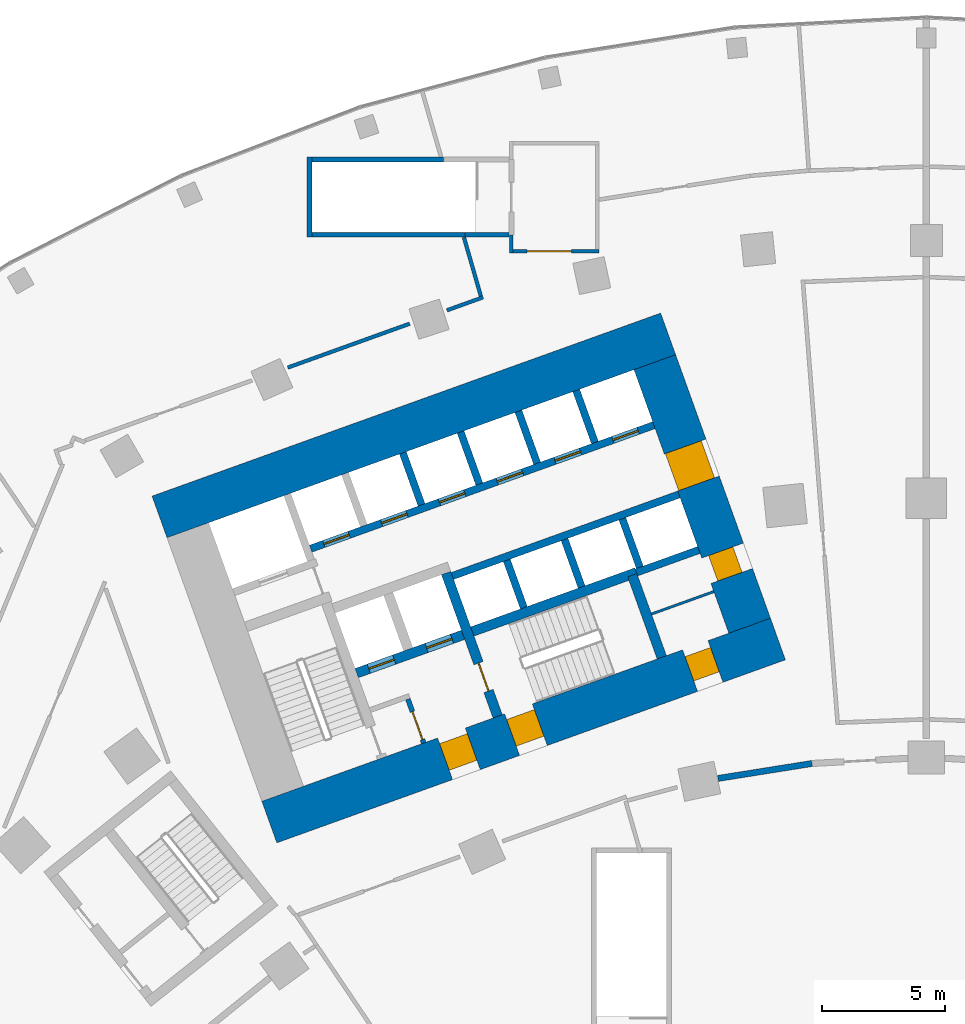
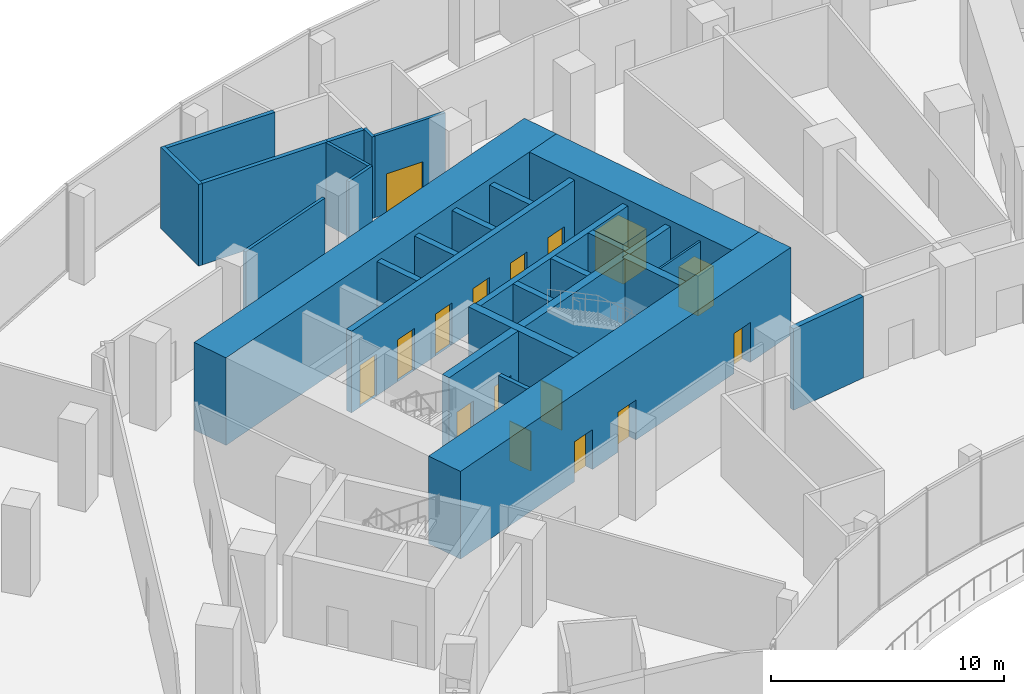
# One storey, part 24 of 33: 28 walls, 16 doors, 16 openings.
"""IFC4 building model written with IfcOpenShell, lengths in metres."""

from ifc_helpers import new_model, si_unit, direction, frame, frame_2d, origin, place, context, subcontext, project, spatial, rectangle, extrude, material, layer, layer_set, type_object, element, fill, save


model = new_model("IFC4")

# Units and contexts
model_context = context("Model", 3, precision=1e-05, world=origin(), true_north=direction((0.0, 1.0)))
body_context = subcontext(model_context, "Body", "Model", "MODEL_VIEW")
ifc_project = project(units=[si_unit("LENGTHUNIT", "METRE"), si_unit("AREAUNIT", "SQUARE_METRE"), si_unit("VOLUMEUNIT", "CUBIC_METRE"), si_unit("PLANEANGLEUNIT", "RADIAN"), si_unit("MASSUNIT", "GRAM", prefix="KILO")], contexts=[model_context])

# Site, building, storey
site_placement = place(None, origin())
site = spatial("IfcSite", under=ifc_project, at=site_placement, CompositionType="ELEMENT")
building_placement = place(site_placement, origin())
building = spatial("IfcBuilding", under=site, at=building_placement, Name="Stone Belt Terrace Tower", CompositionType="ELEMENT")
storey_placement = place(building_placement, frame((0.0, 0.0, 25.39990234375)))
storey = spatial("IfcBuildingStorey", under=building, at=storey_placement, Name="L05", CompositionType="ELEMENT", Elevation=25.39990234375)

# Wall
ifc_material_1 = material(Name="Plasterboard partition")
ifc_layer_1 = layer(ifc_material_1, 0.10009765625)
ifc_layer_set_1 = layer_set([ifc_layer_1], Name="Core partition 100")
wall_type_1 = type_object("IfcWallType", Name="Core partition 100", PredefinedType="PARTITIONING", material=ifc_layer_set_1)
wall_1_placement = place(storey_placement, frame((-11.187744140625, 50.2822265625, 0.0), z_axis=(0.0, 0.0, 1.0), x_axis=(0.940949642365, 0.338546555931, 0.0)))
element("IfcWall", 1, at=wall_1_placement, inside=storey, type_object=wall_type_1, Name="Core A wall", PredefinedType="PARTITIONING", context=body_context, shape_type="SweptSolid", body=[
    extrude(rectangle(XDim=2.699951171875, YDim=0.10009765625, at=frame_2d((1.35009765625, 0.0))), origin(), (0.0, 0.0, 1.0), 4.280029296875),
])

# Wall, openings, doors
ifc_material_2 = material(Name="Concrete B80", Category="concrete")
ifc_layer_2 = layer(ifc_material_2, 1.800048828125)
ifc_layer_set_2 = layer_set([ifc_layer_2], Name="Core wall 1800 B80")
wall_type_2 = type_object("IfcWallType", Name="Core wall 1800 B80", PredefinedType="SHEAR", material=ifc_layer_set_2)
wall_2_placement = place(storey_placement, frame((-26.739501953125, 41.815673828125, 0.0), z_axis=(0.0, 0.0, 1.0), x_axis=(0.940921642213, 0.338624368902, 0.0)))
wall_2 = element("IfcWall", 2, at=wall_2_placement, inside=storey, type_object=wall_type_2, Name="Core A wall concave L05", PredefinedType="SHEAR", context=body_context, shape_type="SweptSolid", body=[
    extrude(rectangle(XDim=22.0, YDim=1.800048828125, at=frame_2d((11.0, 0.0))), origin(), (0.0, 0.0, 1.0), 4.60009765625),
])
opening_1_placement = place(wall_2_placement, frame((7.60009765625, 0.0, 0.0)))
opening_1 = element("IfcOpeningElement", 3, at=opening_1_placement, cuts=wall_2, Name="Opening L05-C05", PredefinedType="OPENING", context=body_context, shape_type="SweptSolid", body=[
    extrude(rectangle(XDim=1.199951171875, YDim=2.10009765625, at=frame_2d((0.60009765625, 1.050048828125))), frame((0.0, 0.909912109375, 0.0), z_axis=(0.0, -1.0, 0.0), x_axis=(1.0, 0.0, 0.0)), (0.0, 0.0, 1.0), 1.820068359375),
])
opening_2_placement = place(wall_2_placement, frame((10.5, 0.0, 0.0)))
opening_2 = element("IfcOpeningElement", 4, at=opening_2_placement, cuts=wall_2, Name="Opening L05-C07", PredefinedType="OPENING", context=body_context, shape_type="SweptSolid", body=[
    extrude(rectangle(XDim=1.199951171875, YDim=2.10009765625, at=frame_2d((0.60009765625, 1.050048828125))), frame((0.0, 0.909912109375, 0.0), z_axis=(0.0, -1.0, 0.0), x_axis=(1.0, 0.0, 0.0)), (0.0, 0.0, 1.0), 1.820068359375),
])
opening_3_placement = place(wall_2_placement, frame((18.199951171875, 0.0, 0.0)))
opening_3 = element("IfcOpeningElement", 5, at=opening_3_placement, cuts=wall_2, Name="Opening L05-C09", PredefinedType="OPENING", context=body_context, shape_type="SweptSolid", body=[
    extrude(rectangle(XDim=1.10009765625, YDim=2.10009765625, at=frame_2d((0.550048828125, 1.050048828125))), frame((0.0, 0.909912109375, 0.0), z_axis=(0.0, -1.0, 0.0), x_axis=(1.0, 0.0, 0.0)), (0.0, 0.0, 1.0), 1.820068359375),
])
ifc_material_3 = material(Name="Timber door leaf", Category="wood")
door_type_1 = type_object("IfcDoorType", Name="Core room door 1100", OperationType="SINGLE_SWING_LEFT", PredefinedType="DOOR", material=ifc_material_3)
door_1_placement = place(opening_3_placement, origin())
door_1 = element("IfcDoor", 6, at=door_1_placement, inside=storey, type_object=door_type_1, Name="Door to Cleaner's store core A", OperationType="SINGLE_SWING_RIGHT", OverallHeight=2.10009765625, OverallWidth=1.10009765625, PredefinedType="DOOR", context=body_context, shape_type="SweptSolid", body=[
    extrude(rectangle(XDim=1.10009765625, YDim=2.10009765625, at=frame_2d((0.550048828125, 1.050048828125))), frame((0.0, 0.60498046875, 0.0), z_axis=(0.0, -1.0, 0.0), x_axis=(1.0, 0.0, 0.0)), (0.0, 0.0, 1.0), 1.050048828125),
])
fill(opening_3, door_1)
ifc_material_4 = material(Name="Steel door leaf", Category="steel")
door_type_2 = type_object("IfcDoorType", Name="Fire-fighting lobby door 1200", OperationType="SINGLE_SWING_LEFT", PredefinedType="DOOR", material=ifc_material_4)
door_2_placement = place(opening_1_placement, origin())
door_2 = element("IfcDoor", 7, at=door_2_placement, inside=storey, type_object=door_type_2, Name="Fire-fighting lobby door core A", OperationType="SINGLE_SWING_RIGHT", OverallHeight=2.10009765625, OverallWidth=1.199951171875, PredefinedType="DOOR", context=body_context, shape_type="SweptSolid", body=[
    extrude(rectangle(XDim=1.199951171875, YDim=2.10009765625, at=frame_2d((0.60009765625, 1.050048828125))), frame((0.0, 0.655029296875, 0.0), z_axis=(0.0, -1.0, 0.0), x_axis=(1.0, 0.0, 0.0)), (0.0, 0.0, 1.0), 1.14990234375),
])
fill(opening_1, door_2)
door_type_3 = type_object("IfcDoorType", Name="Stair door 1200", OperationType="SINGLE_SWING_LEFT", PredefinedType="DOOR", material=ifc_material_4)
door_3_placement = place(opening_2_placement, origin())
door_3 = element("IfcDoor", 8, at=door_3_placement, inside=storey, type_object=door_type_3, Name="Stair 2 exit door core A", OperationType="SINGLE_SWING_LEFT", OverallHeight=2.10009765625, OverallWidth=1.199951171875, PredefinedType="DOOR", context=body_context, shape_type="SweptSolid", body=[
    extrude(rectangle(XDim=1.199951171875, YDim=2.10009765625, at=frame_2d((0.60009765625, 1.050048828125))), frame((0.0, 0.655029296875, 0.0), z_axis=(0.0, -1.0, 0.0), x_axis=(1.0, 0.0, 0.0)), (0.0, 0.0, 1.0), 1.14990234375),
])
fill(opening_2, door_3)

# Wall
wall_3_placement = place(storey_placement, frame((-31.20947265625, 54.23583984375, 0.0), z_axis=(0.0, 0.0, 1.0), x_axis=(0.940922914687, 0.338620833112, 0.0)))
element("IfcWall", 9, at=wall_3_placement, inside=storey, type_object=wall_type_2, Name="Core A wall convex L05", PredefinedType="SHEAR", context=body_context, shape_type="SweptSolid", body=[
    extrude(rectangle(XDim=22.000244140625, YDim=1.800048828125, at=frame_2d((11.0, 0.0))), origin(), (0.0, 0.0, 1.0), 4.60009765625),
])

# Wall, openings, doors
wall_4_placement = place(storey_placement, frame((-7.19091796875, 49.8076171875, 0.0), z_axis=(0.0, 0.0, 1.0), x_axis=(-0.338632255135, 0.940918804033, 0.0)))
wall_4 = element("IfcWall", 10, at=wall_4_placement, inside=storey, type_object=wall_type_2, Name="Core A wall end_b L05", PredefinedType="SHEAR", context=body_context, shape_type="SweptSolid", body=[
    extrude(rectangle(XDim=11.39990234375, YDim=1.800048828125, at=frame_2d((5.699951171875, 0.0))), origin(), (0.0, 0.0, 1.0), 4.60009765625),
])
opening_4_placement = place(wall_4_placement, frame((6.14990234375, 0.0, 0.0)))
opening_4 = element("IfcOpeningElement", 11, at=opening_4_placement, cuts=wall_4, Name="Opening L05-C02", PredefinedType="OPENING", context=body_context, shape_type="SweptSolid", body=[
    extrude(rectangle(XDim=1.60009765625, YDim=2.10009765625, at=frame_2d((0.800048828125, 1.050048828125))), frame((0.0, 0.909912109375, 0.0), z_axis=(0.0, -1.0, 0.0), x_axis=(1.0, 0.0, 0.0)), (0.0, 0.0, 1.0), 1.820068359375),
])
opening_5_placement = place(wall_4_placement, frame((2.14990234375, 0.0, 0.0)))
opening_5 = element("IfcOpeningElement", 12, at=opening_5_placement, cuts=wall_4, Name="Opening L05-C08", PredefinedType="OPENING", context=body_context, shape_type="SweptSolid", body=[
    extrude(rectangle(XDim=1.10009765625, YDim=2.10009765625, at=frame_2d((0.550048828125, 1.050048828125))), frame((0.0, 0.909912109375, 0.0), z_axis=(0.0, -1.0, 0.0), x_axis=(1.0, 0.0, 0.0)), (0.0, 0.0, 1.0), 1.820068359375),
])
door_4_placement = place(opening_5_placement, origin())
door_4 = element("IfcDoor", 13, at=door_4_placement, inside=storey, type_object=door_type_1, Name="Door to Accessible WC core A", OperationType="SINGLE_SWING_LEFT", OverallHeight=2.10009765625, OverallWidth=1.10009765625, PredefinedType="DOOR", context=body_context, shape_type="SweptSolid", body=[
    extrude(rectangle(XDim=1.10009765625, YDim=2.10009765625, at=frame_2d((0.550048828125, 1.050048828125))), frame((0.0, 0.60498046875, 0.0), z_axis=(0.0, -1.0, 0.0), x_axis=(1.0, 0.0, 0.0)), (0.0, 0.0, 1.0), 1.050048828125),
])
fill(opening_5, door_4)
ifc_material_5 = material(Name="Glazed aluminium door leaf", Category="aluminium")
door_type_4 = type_object("IfcDoorType", Name="Lift lobby entrance door 1600", OperationType="DOUBLE_DOOR_SINGLE_SWING", PredefinedType="DOOR", material=ifc_material_5)
door_5_placement = place(opening_4_placement, origin())
door_5 = element("IfcDoor", 14, at=door_5_placement, inside=storey, type_object=door_type_4, Name="Lift lobby entrance door core A", OperationType="DOUBLE_DOOR_SINGLE_SWING", OverallHeight=2.10009765625, OverallWidth=1.60009765625, PredefinedType="DOOR", context=body_context, shape_type="SweptSolid", body=[
    extrude(rectangle(XDim=1.60009765625, YDim=2.10009765625, at=frame_2d((0.800048828125, 1.050048828125))), frame((0.0, 0.85498046875, 0.0), z_axis=(0.0, -1.0, 0.0), x_axis=(1.0, 0.0, 0.0)), (0.0, 0.0, 1.0), 1.550048828125),
])
fill(opening_4, door_5)

# Wall
ifc_material_6 = material(Name="Fire-resistant glazing in steel frame", Category="steel")
ifc_layer_3 = layer(ifc_material_6, 0.25)
ifc_layer_set_3 = layer_set([ifc_layer_3], Name="Glazed compartment fire screen 250")
wall_type_3 = type_object("IfcWallType", Name="Glazed compartment fire screen 250", PredefinedType="PARTITIONING", material=ifc_layer_set_3)
wall_5_placement = place(storey_placement, frame((-8.4794921875, 43.5908203125, 0.0), z_axis=(0.0, 0.0, 1.0), x_axis=(0.98758230791, 0.157102466888, 0.0)))
element("IfcWall", 15, at=wall_5_placement, inside=storey, type_object=wall_type_3, Name="Compartment fire screen L05 4", PredefinedType="PARTITIONING", context=body_context, shape_type="SweptSolid", body=[
    extrude(rectangle(XDim=3.87109375, YDim=0.25, at=frame_2d((1.935546875, 0.0))), origin(), (0.0, 0.0, 1.0), 4.280029296875),
])

# Wall, openings, doors
ifc_layer_4 = layer(ifc_material_2, 0.300048828125)
ifc_layer_set_4 = layer_set([ifc_layer_4], Name="Lift shaft wall 300")
wall_type_4 = type_object("IfcWallType", Name="Lift shaft wall 300", PredefinedType="SHEAR", material=ifc_layer_set_4)
wall_6_placement = place(storey_placement, frame((-25.05810546875, 52.9423828125, 0.0), z_axis=(0.0, 0.0, 1.0), x_axis=(0.940918215764, 0.338633889685, 0.0)))
wall_6 = element("IfcWall", 16, at=wall_6_placement, inside=storey, type_object=wall_type_4, Name="Core A wall", PredefinedType="SHEAR", context=body_context, shape_type="SweptSolid", body=[
    extrude(rectangle(XDim=14.850341796875, YDim=0.300048828125, at=frame_2d((7.42529296875, 0.0))), origin(), (0.0, 0.0, 1.0), 4.280029296875),
])
opening_6_placement = place(wall_6_placement, frame((0.570068359375, 0.0, 0.0)))
opening_6 = element("IfcOpeningElement", 17, at=opening_6_placement, cuts=wall_6, Name="Opening L05-LD01", PredefinedType="OPENING", context=body_context, shape_type="SweptSolid", body=[
    extrude(rectangle(XDim=1.10009765625, YDim=2.199951171875, at=frame_2d((0.550048828125, 1.10009765625))), frame((0.0, 0.159912109375, 0.0), z_axis=(0.0, -1.0, 0.0), x_axis=(1.0, 0.0, 0.0)), (0.0, 0.0, 1.0), 0.320068359375),
])
opening_7_placement = place(wall_6_placement, frame((3.070068359375, 0.0, 0.0)))
opening_7 = element("IfcOpeningElement", 18, at=opening_7_placement, cuts=wall_6, Name="Opening L05-LD02", PredefinedType="OPENING", context=body_context, shape_type="SweptSolid", body=[
    extrude(rectangle(XDim=1.10009765625, YDim=2.199951171875, at=frame_2d((0.550048828125, 1.10009765625))), frame((0.0, 0.159912109375, 0.0), z_axis=(0.0, -1.0, 0.0), x_axis=(1.0, 0.0, 0.0)), (0.0, 0.0, 1.0), 0.320068359375),
])
opening_8_placement = place(wall_6_placement, frame((5.570068359375, 0.0, 0.0)))
opening_8 = element("IfcOpeningElement", 19, at=opening_8_placement, cuts=wall_6, Name="Opening L05-LD03", PredefinedType="OPENING", context=body_context, shape_type="SweptSolid", body=[
    extrude(rectangle(XDim=1.10009765625, YDim=2.199951171875, at=frame_2d((0.550048828125, 1.10009765625))), frame((0.0, 0.159912109375, 0.0), z_axis=(0.0, -1.0, 0.0), x_axis=(1.0, 0.0, 0.0)), (0.0, 0.0, 1.0), 0.320068359375),
])
opening_9_placement = place(wall_6_placement, frame((8.070068359375, 0.0, 0.0)))
opening_9 = element("IfcOpeningElement", 20, at=opening_9_placement, cuts=wall_6, Name="Opening L05-LD04", PredefinedType="OPENING", context=body_context, shape_type="SweptSolid", body=[
    extrude(rectangle(XDim=1.10009765625, YDim=2.199951171875, at=frame_2d((0.550048828125, 1.10009765625))), frame((0.0, 0.159912109375, 0.0), z_axis=(0.0, -1.0, 0.0), x_axis=(1.0, 0.0, 0.0)), (0.0, 0.0, 1.0), 0.320068359375),
])
opening_10_placement = place(wall_6_placement, frame((10.570068359375, 0.0, 0.0)))
opening_10 = element("IfcOpeningElement", 21, at=opening_10_placement, cuts=wall_6, Name="Opening L05-LD05", PredefinedType="OPENING", context=body_context, shape_type="SweptSolid", body=[
    extrude(rectangle(XDim=1.10009765625, YDim=2.199951171875, at=frame_2d((0.550048828125, 1.10009765625))), frame((0.0, 0.159912109375, 0.0), z_axis=(0.0, -1.0, 0.0), x_axis=(1.0, 0.0, 0.0)), (0.0, 0.0, 1.0), 0.320068359375),
])
opening_11_placement = place(wall_6_placement, frame((13.070068359375, 0.0, 0.0)))
opening_11 = element("IfcOpeningElement", 22, at=opening_11_placement, cuts=wall_6, Name="Opening L05-LD06", PredefinedType="OPENING", context=body_context, shape_type="SweptSolid", body=[
    extrude(rectangle(XDim=1.10009765625, YDim=2.199951171875, at=frame_2d((0.550048828125, 1.10009765625))), frame((0.0, 0.159912109375, 0.0), z_axis=(0.0, -1.0, 0.0), x_axis=(1.0, 0.0, 0.0)), (0.0, 0.0, 1.0), 0.320068359375),
])
ifc_material_7 = material(Name="Stainless steel door leaf", Category="steel")
door_type_5 = type_object("IfcDoorType", Name="Landing door 1100", OperationType="SLIDING_TO_LEFT", PredefinedType="DOOR", material=ifc_material_7)
door_6_placement = place(opening_6_placement, origin())
door_6 = element("IfcDoor", 23, at=door_6_placement, inside=storey, type_object=door_type_5, Name="Landing door LR1 core A", OperationType="SLIDING_TO_LEFT", OverallHeight=2.199951171875, OverallWidth=1.10009765625, PredefinedType="DOOR", context=body_context, shape_type="SweptSolid", body=[
    extrude(rectangle(XDim=1.10009765625, YDim=2.199951171875, at=frame_2d((0.550048828125, 1.10009765625))), frame((0.0, 0.02490234375, 0.0), z_axis=(0.0, -1.0, 0.0), x_axis=(1.0, 0.0, 0.0)), (0.0, 0.0, 1.0), 0.050048828125),
])
fill(opening_6, door_6)
door_7_placement = place(opening_7_placement, origin())
door_7 = element("IfcDoor", 24, at=door_7_placement, inside=storey, type_object=door_type_5, Name="Landing door LR2 core A", OperationType="SLIDING_TO_LEFT", OverallHeight=2.199951171875, OverallWidth=1.10009765625, PredefinedType="DOOR", context=body_context, shape_type="SweptSolid", body=[
    extrude(rectangle(XDim=1.10009765625, YDim=2.199951171875, at=frame_2d((0.550048828125, 1.10009765625))), frame((0.0, 0.02490234375, 0.0), z_axis=(0.0, -1.0, 0.0), x_axis=(1.0, 0.0, 0.0)), (0.0, 0.0, 1.0), 0.050048828125),
])
fill(opening_7, door_7)
door_8_placement = place(opening_8_placement, origin())
door_8 = element("IfcDoor", 25, at=door_8_placement, inside=storey, type_object=door_type_5, Name="Landing door LR3 core A", OperationType="SLIDING_TO_LEFT", OverallHeight=2.199951171875, OverallWidth=1.10009765625, PredefinedType="DOOR", context=body_context, shape_type="SweptSolid", body=[
    extrude(rectangle(XDim=1.10009765625, YDim=2.199951171875, at=frame_2d((0.550048828125, 1.10009765625))), frame((0.0, 0.02490234375, 0.0), z_axis=(0.0, -1.0, 0.0), x_axis=(1.0, 0.0, 0.0)), (0.0, 0.0, 1.0), 0.050048828125),
])
fill(opening_8, door_8)
door_9_placement = place(opening_9_placement, origin())
door_9 = element("IfcDoor", 26, at=door_9_placement, inside=storey, type_object=door_type_5, Name="Landing door LR4 core A", OperationType="SLIDING_TO_LEFT", OverallHeight=2.199951171875, OverallWidth=1.10009765625, PredefinedType="DOOR", context=body_context, shape_type="SweptSolid", body=[
    extrude(rectangle(XDim=1.10009765625, YDim=2.199951171875, at=frame_2d((0.550048828125, 1.10009765625))), frame((0.0, 0.02490234375, 0.0), z_axis=(0.0, -1.0, 0.0), x_axis=(1.0, 0.0, 0.0)), (0.0, 0.0, 1.0), 0.050048828125),
])
fill(opening_9, door_9)
door_10_placement = place(opening_10_placement, origin())
door_10 = element("IfcDoor", 27, at=door_10_placement, inside=storey, type_object=door_type_5, Name="Landing door LR5 core A", OperationType="SLIDING_TO_LEFT", OverallHeight=2.199951171875, OverallWidth=1.10009765625, PredefinedType="DOOR", context=body_context, shape_type="SweptSolid", body=[
    extrude(rectangle(XDim=1.10009765625, YDim=2.199951171875, at=frame_2d((0.550048828125, 1.10009765625))), frame((0.0, 0.02490234375, 0.0), z_axis=(0.0, -1.0, 0.0), x_axis=(1.0, 0.0, 0.0)), (0.0, 0.0, 1.0), 0.050048828125),
])
fill(opening_10, door_10)
door_11_placement = place(opening_11_placement, origin())
door_11 = element("IfcDoor", 28, at=door_11_placement, inside=storey, type_object=door_type_5, Name="Landing door LR6 core A", OperationType="SLIDING_TO_LEFT", OverallHeight=2.199951171875, OverallWidth=1.10009765625, PredefinedType="DOOR", context=body_context, shape_type="SweptSolid", body=[
    extrude(rectangle(XDim=1.10009765625, YDim=2.199951171875, at=frame_2d((0.550048828125, 1.10009765625))), frame((0.0, 0.02490234375, 0.0), z_axis=(0.0, -1.0, 0.0), x_axis=(1.0, 0.0, 0.0)), (0.0, 0.0, 1.0), 0.050048828125),
])
fill(opening_11, door_11)

# Walls
wall_7_placement = place(storey_placement, frame((-19.29052734375, 51.829833984375, 0.0), z_axis=(0.0, 0.0, 1.0), x_axis=(0.940925833398, 0.338612722803, 0.0)))
element("IfcWall", 29, at=wall_7_placement, inside=storey, type_object=wall_type_4, Name="Core A wall", PredefinedType="SHEAR", context=body_context, shape_type="SweptSolid", body=[
    extrude(rectangle(XDim=9.7998046875, YDim=0.300048828125, at=frame_2d((4.89990234375, 0.0))), origin(), (0.0, 0.0, 1.0), 4.280029296875),
])
wall_8_placement = place(storey_placement, frame((-20.54541015625, 54.72607421875, 0.0), z_axis=(0.0, 0.0, 1.0), x_axis=(-0.338569601369, 0.940941350472, 0.0)))
element("IfcWall", 30, at=wall_8_placement, inside=storey, type_object=wall_type_4, Name="Core A wall", PredefinedType="SHEAR", context=body_context, shape_type="SweptSolid", body=[
    extrude(rectangle(XDim=2.249755859375, YDim=0.300048828125, at=frame_2d((1.125, 0.0))), origin(), (0.0, 0.0, 1.0), 4.280029296875),
])
wall_9_placement = place(storey_placement, frame((-16.38134765625, 50.53857421875, 0.0), z_axis=(0.0, 0.0, 1.0), x_axis=(-0.338681515556, 0.940901073982, 0.0)))
element("IfcWall", 31, at=wall_9_placement, inside=storey, type_object=wall_type_4, Name="Core A wall", PredefinedType="SHEAR", context=body_context, shape_type="SweptSolid", body=[
    extrude(rectangle(XDim=2.050048828125, YDim=0.300048828125, at=frame_2d((1.02490234375, 0.0))), origin(), (0.0, 0.0, 1.0), 4.280029296875),
])
wall_10_placement = place(storey_placement, frame((-18.193115234375, 55.572509765625, 0.0), z_axis=(0.0, 0.0, 1.0), x_axis=(-0.338535034312, 0.940953787677, 0.0)))
element("IfcWall", 32, at=wall_10_placement, inside=storey, type_object=wall_type_4, Name="Core A wall", PredefinedType="SHEAR", context=body_context, shape_type="SweptSolid", body=[
    extrude(rectangle(XDim=2.25, YDim=0.300048828125, at=frame_2d((1.125, 0.0))), origin(), (0.0, 0.0, 1.0), 4.280029296875),
])
wall_11_placement = place(storey_placement, frame((-14.029052734375, 51.38525390625, 0.0), z_axis=(0.0, 0.0, 1.0), x_axis=(-0.338681515556, 0.940901073982, 0.0)))
element("IfcWall", 33, at=wall_11_placement, inside=storey, type_object=wall_type_4, Name="Core A wall", PredefinedType="SHEAR", context=body_context, shape_type="SweptSolid", body=[
    extrude(rectangle(XDim=2.050048828125, YDim=0.300048828125, at=frame_2d((1.02490234375, 0.0))), origin(), (0.0, 0.0, 1.0), 4.280029296875),
])
wall_12_placement = place(storey_placement, frame((-15.8408203125, 56.419189453125, 0.0), z_axis=(0.0, 0.0, 1.0), x_axis=(-0.338569601369, 0.940941350472, 0.0)))
element("IfcWall", 34, at=wall_12_placement, inside=storey, type_object=wall_type_4, Name="Core A wall", PredefinedType="SHEAR", context=body_context, shape_type="SweptSolid", body=[
    extrude(rectangle(XDim=2.249755859375, YDim=0.300048828125, at=frame_2d((1.125, 0.0))), origin(), (0.0, 0.0, 1.0), 4.280029296875),
])
wall_13_placement = place(storey_placement, frame((-11.797119140625, 51.975830078125, 0.0), z_axis=(0.0, 0.0, 1.0), x_axis=(0.940910465161, 0.33865542451, 0.0)))
element("IfcWall", 35, at=wall_13_placement, inside=storey, type_object=wall_type_4, Name="Core A wall", PredefinedType="SHEAR", context=body_context, shape_type="SweptSolid", body=[
    extrude(rectangle(XDim=2.69970703125, YDim=0.300048828125, at=frame_2d((1.349853515625, 0.0))), origin(), (0.0, 0.0, 1.0), 4.280029296875),
])
wall_14_placement = place(storey_placement, frame((-11.659912109375, 52.184814453125, 0.0), z_axis=(0.0, 0.0, 1.0), x_axis=(-0.338670064856, 0.940905195634, 0.0)))
element("IfcWall", 36, at=wall_14_placement, inside=storey, type_object=wall_type_4, Name="Core A wall", PredefinedType="SHEAR", context=body_context, shape_type="SweptSolid", body=[
    extrude(rectangle(XDim=2.099853515625, YDim=0.300048828125, at=frame_2d((1.0498046875, 0.0))), origin(), (0.0, 0.0, 1.0), 4.280029296875),
])
wall_15_placement = place(storey_placement, frame((-13.48828125, 57.265625, 0.0), z_axis=(0.0, 0.0, 1.0), x_axis=(-0.338631098537, 0.940919220286, 0.0)))
element("IfcWall", 37, at=wall_15_placement, inside=storey, type_object=wall_type_4, Name="Core A wall", PredefinedType="SHEAR", context=body_context, shape_type="SweptSolid", body=[
    extrude(rectangle(XDim=2.250244140625, YDim=0.300048828125, at=frame_2d((1.125, 0.0))), origin(), (0.0, 0.0, 1.0), 4.280029296875),
])
ifc_material_8 = material(Name="Gypsum board on steel stud partition", Category="steel")
ifc_layer_5 = layer(ifc_material_8, 0.14990234375)
ifc_layer_set_5 = layer_set([ifc_layer_5], Name="Podium partition 150")
wall_type_5 = type_object("IfcWallType", Name="Podium partition 150", PredefinedType="PARTITIONING", material=ifc_layer_set_5)
wall_16_placement = place(storey_placement, frame((-25.98974609375, 60.314697265625, 0.0), z_axis=(0.0, 0.0, 1.0), x_axis=(0.940943450527, 0.338563764909, 0.0)))
element("IfcWall", 38, at=wall_16_placement, inside=storey, type_object=wall_type_5, Name="Podium partition 150", PredefinedType="PARTITIONING", context=body_context, shape_type="SweptSolid", body=[
    extrude(rectangle(XDim=5.27490234375, YDim=0.14990234375, at=frame_2d((2.637451171875, 0.0))), origin(), (0.0, 0.0, 1.0), 4.280029296875),
])
wall_17_placement = place(storey_placement, frame((-19.512451171875, 62.6455078125, 0.0), z_axis=(0.0, 0.0, 1.0), x_axis=(0.940998690365, 0.338410201872, 0.0)))
element("IfcWall", 39, at=wall_17_placement, inside=storey, type_object=wall_type_5, Name="Podium partition 150", PredefinedType="PARTITIONING", context=body_context, shape_type="SweptSolid", body=[
    extrude(rectangle(XDim=1.5654296875, YDim=0.14990234375, at=frame_2d((0.78271484375, 0.0))), origin(), (0.0, 0.0, 1.0), 4.280029296875),
])
wall_18_placement = place(storey_placement, frame((-18.822265625, 65.6240234375, 0.0), z_axis=(0.0, 0.0, 1.0), x_axis=(0.276629955137, -0.960976517882, 0.0)))
element("IfcWall", 40, at=wall_18_placement, inside=storey, type_object=wall_type_5, Name="Podium partition 150", PredefinedType="PARTITIONING", context=body_context, shape_type="SweptSolid", body=[
    extrude(rectangle(XDim=2.49951171875, YDim=0.14990234375, at=frame_2d((1.249755859375, 0.0))), origin(), (0.0, 0.0, 1.0), 4.280029296875),
])
wall_19_placement = place(storey_placement, frame((-16.889892578125, 64.97509765625, 0.0), z_axis=(0.0, 0.0, 1.0), x_axis=(0.0, 1.0, 0.0)))
element("IfcWall", 41, at=wall_19_placement, inside=storey, type_object=wall_type_5, Name="Podium partition 150", PredefinedType="PARTITIONING", context=body_context, shape_type="SweptSolid", body=[
    extrude(rectangle(XDim=0.744873046875, YDim=0.14990234375, at=frame_2d((0.37255859375, 0.0))), origin(), (0.0, 0.0, 1.0), 4.280029296875),
])

# Wall, opening, door
wall_20_placement = place(storey_placement, frame((-16.81494140625, 65.050048828125, 0.0), z_axis=(0.0, 0.0, 1.0), x_axis=(1.0, 0.0, 0.0)))
wall_20 = element("IfcWall", 42, at=wall_20_placement, inside=storey, type_object=wall_type_5, Name="Podium partition 150", PredefinedType="PARTITIONING", context=body_context, shape_type="SweptSolid", body=[
    extrude(rectangle(XDim=3.5, YDim=0.14990234375, at=frame_2d((1.75, 0.0))), origin(), (0.0, 0.0, 1.0), 4.280029296875),
])
opening_12_placement = place(wall_20_placement, frame((0.570068359375, 0.0, 0.0)))
opening_12 = element("IfcOpeningElement", 43, at=opening_12_placement, cuts=wall_20, Name="Opening L05-P38", PredefinedType="OPENING", context=body_context, shape_type="SweptSolid", body=[
    extrude(rectangle(XDim=1.800048828125, YDim=2.10009765625, at=frame_2d((0.89990234375, 1.050048828125))), frame((0.0, 0.0849609375, 0.0), z_axis=(0.0, -1.0, 0.0), x_axis=(1.0, 0.0, 0.0)), (0.0, 0.0, 1.0), 0.169921875),
])
ifc_material_9 = material(Name="Steel framed door leaf", Category="steel")
door_type_6 = type_object("IfcDoorType", Name="Podium door double 1800", OperationType="DOUBLE_DOOR_SINGLE_SWING", PredefinedType="DOOR", material=ifc_material_9)
door_12_placement = place(opening_12_placement, origin())
door_12 = element("IfcDoor", 44, at=door_12_placement, inside=storey, type_object=door_type_6, Name="Podium door double 1800", OperationType="DOUBLE_DOOR_SINGLE_SWING", OverallHeight=2.10009765625, OverallWidth=1.800048828125, PredefinedType="DOOR", context=body_context, shape_type="SweptSolid", body=[
    extrude(rectangle(XDim=1.800048828125, YDim=2.10009765625, at=frame_2d((0.89990234375, 1.050048828125))), frame((0.0, 0.02490234375, 0.0), z_axis=(0.0, -1.0, 0.0), x_axis=(1.0, 0.0, 0.0)), (0.0, 0.0, 1.0), 0.050048828125),
])
fill(opening_12, door_12)

# Walls
ifc_material_10 = material(Name="Concrete B30", Category="concrete")
ifc_layer_6 = layer(ifc_material_10, 0.199951171875)
ifc_layer_set_6 = layer_set([ifc_layer_6], Name="Podium stair and shaft wall 200")
wall_type_6 = type_object("IfcWallType", Name="Podium stair and shaft wall 200", PredefinedType="SOLIDWALL", material=ifc_layer_set_6)
wall_21_placement = place(storey_placement, frame((-25.110107421875, 65.6201171875, 0.0), z_axis=(0.0, 0.0, 1.0), x_axis=(0.0, 1.0, 0.0)))
element("IfcWall", 45, at=wall_21_placement, inside=storey, type_object=wall_type_6, Name="Podium stair and shaft wall 200", PredefinedType="SOLIDWALL", context=body_context, shape_type="SweptSolid", body=[
    extrude(rectangle(XDim=3.259765625, YDim=0.199951171875, at=frame_2d((1.6298828125, 0.0))), origin(), (0.0, 0.0, 1.0), 4.280029296875),
])
wall_22_placement = place(storey_placement, frame((-25.010009765625, 65.719970703125, 0.0), z_axis=(0.0, 0.0, 1.0), x_axis=(1.0, 0.0, 0.0)))
element("IfcWall", 46, at=wall_22_placement, inside=storey, type_object=wall_type_6, Name="Podium stair and shaft wall 200", PredefinedType="SOLIDWALL", context=body_context, shape_type="SweptSolid", body=[
    extrude(rectangle(XDim=6.238037109375, YDim=0.199951171875, at=frame_2d((3.119140625, 0.0))), origin(), (0.0, 0.0, 1.0), 4.280029296875),
])
wall_23_placement = place(storey_placement, frame((-25.010009765625, 68.780029296875, 0.0), z_axis=(0.0, 0.0, 1.0), x_axis=(1.0, 0.0, 0.0)))
element("IfcWall", 47, at=wall_23_placement, inside=storey, type_object=wall_type_6, Name="Podium stair and shaft wall 200", PredefinedType="SOLIDWALL", context=body_context, shape_type="SweptSolid", body=[
    extrude(rectangle(XDim=5.367919921875, YDim=0.199951171875, at=frame_2d((2.68408203125, 0.0))), origin(), (0.0, 0.0, 1.0), 4.280029296875),
])
wall_24_placement = place(storey_placement, frame((-18.77197265625, 65.719970703125, 0.0), z_axis=(0.0, 0.0, 1.0), x_axis=(1.0, 0.0, 0.0)))
element("IfcWall", 48, at=wall_24_placement, inside=storey, type_object=wall_type_6, Name="Podium stair and shaft wall 200", PredefinedType="SOLIDWALL", context=body_context, shape_type="SweptSolid", body=[
    extrude(rectangle(XDim=1.781982421875, YDim=0.199951171875, at=frame_2d((0.89111328125, 0.0))), origin(), (0.0, 0.0, 1.0), 4.280029296875),
])

# Wall, opening, door
ifc_material_11 = material(Name="Concrete masonry block", Category="masonry")
ifc_layer_7 = layer(ifc_material_11, 0.199951171875)
ifc_layer_set_7 = layer_set([ifc_layer_7], Name="Rated lobby wall 200")
wall_type_7 = type_object("IfcWallType", Name="Rated lobby wall 200", PredefinedType="PARTITIONING", material=ifc_layer_set_7)
wall_25_placement = place(storey_placement, frame((-20.4580078125, 45.032958984375, 0.0), z_axis=(0.0, 0.0, 1.0), x_axis=(-0.338573865316, 0.940939816208, 0.0)))
wall_25 = element("IfcWall", 49, at=wall_25_placement, inside=storey, type_object=wall_type_7, Name="Core A wall", PredefinedType="PARTITIONING", context=body_context, shape_type="SweptSolid", body=[
    extrude(rectangle(XDim=1.900146484375, YDim=0.199951171875, at=frame_2d((0.9501953125, 0.0))), origin(), (0.0, 0.0, 1.0), 4.280029296875),
])
opening_13_placement = place(wall_25_placement, frame((0.14990234375, 0.0, 0.0)))
opening_13 = element("IfcOpeningElement", 50, at=opening_13_placement, cuts=wall_25, Name="Opening L05-C04", PredefinedType="OPENING", context=body_context, shape_type="SweptSolid", body=[
    extrude(rectangle(XDim=1.199951171875, YDim=2.10009765625, at=frame_2d((0.60009765625, 1.050048828125))), frame((0.0, 0.10986328125, 0.0), z_axis=(0.0, -1.0, 0.0), x_axis=(1.0, 0.0, 0.0)), (0.0, 0.0, 1.0), 0.219970703125),
])
door_13_placement = place(opening_13_placement, origin())
door_13 = element("IfcDoor", 51, at=door_13_placement, inside=storey, type_object=door_type_3, Name="Stair airlock door core A", OperationType="SINGLE_SWING_RIGHT", OverallHeight=2.10009765625, OverallWidth=1.199951171875, PredefinedType="DOOR", context=body_context, shape_type="SweptSolid", body=[
    extrude(rectangle(XDim=1.199951171875, YDim=2.10009765625, at=frame_2d((0.60009765625, 1.050048828125))), frame((0.0, 0.02490234375, 0.0), z_axis=(0.0, -1.0, 0.0), x_axis=(1.0, 0.0, 0.0)), (0.0, 0.0, 1.0), 0.050048828125),
])
fill(opening_13, door_13)

# Wall, openings, doors
ifc_layer_8 = layer(ifc_material_2, 0.39990234375)
ifc_layer_set_8 = layer_set([ifc_layer_8], Name="Stair enclosure wall 400")
wall_type_8 = type_object("IfcWallType", Name="Stair enclosure wall 400", PredefinedType="SHEAR", material=ifc_layer_set_8)
wall_26_placement = place(storey_placement, frame((-23.182373046875, 47.87841796875, 0.0), z_axis=(0.0, 0.0, 1.0), x_axis=(0.940921101762, 0.338625870628, 0.0)))
wall_26 = element("IfcWall", 52, at=wall_26_placement, inside=storey, type_object=wall_type_8, Name="Core A wall", PredefinedType="SHEAR", context=body_context, shape_type="SweptSolid", body=[
    extrude(rectangle(XDim=12.10009765625, YDim=0.39990234375, at=frame_2d((6.050048828125, 0.0))), origin(), (0.0, 0.0, 1.0), 4.280029296875),
])
opening_14_placement = place(wall_26_placement, frame((0.52001953125, 0.0, 0.0)))
opening_14 = element("IfcOpeningElement", 53, at=opening_14_placement, cuts=wall_26, Name="Opening L05-LD07", PredefinedType="OPENING", context=body_context, shape_type="SweptSolid", body=[
    extrude(rectangle(XDim=1.10009765625, YDim=2.199951171875, at=frame_2d((0.550048828125, 1.10009765625))), frame((0.0, 0.2099609375, 0.0), z_axis=(0.0, -1.0, 0.0), x_axis=(1.0, 0.0, 0.0)), (0.0, 0.0, 1.0), 0.419921875),
])
opening_15_placement = place(wall_26_placement, frame((3.02001953125, 0.0, 0.0)))
opening_15 = element("IfcOpeningElement", 54, at=opening_15_placement, cuts=wall_26, Name="Opening L05-LD08", PredefinedType="OPENING", context=body_context, shape_type="SweptSolid", body=[
    extrude(rectangle(XDim=1.10009765625, YDim=2.199951171875, at=frame_2d((0.550048828125, 1.10009765625))), frame((0.0, 0.2099609375, 0.0), z_axis=(0.0, -1.0, 0.0), x_axis=(1.0, 0.0, 0.0)), (0.0, 0.0, 1.0), 0.419921875),
])
door_14_placement = place(opening_14_placement, origin())
door_14 = element("IfcDoor", 55, at=door_14_placement, inside=storey, type_object=door_type_5, Name="Landing door FF1 core A", OperationType="SLIDING_TO_LEFT", OverallHeight=2.199951171875, OverallWidth=1.10009765625, PredefinedType="DOOR", context=body_context, shape_type="SweptSolid", body=[
    extrude(rectangle(XDim=1.10009765625, YDim=2.199951171875, at=frame_2d((0.550048828125, 1.10009765625))), frame((0.0, 0.02490234375, 0.0), z_axis=(0.0, -1.0, 0.0), x_axis=(1.0, 0.0, 0.0)), (0.0, 0.0, 1.0), 0.050048828125),
])
fill(opening_14, door_14)
door_15_placement = place(opening_15_placement, origin())
door_15 = element("IfcDoor", 56, at=door_15_placement, inside=storey, type_object=door_type_5, Name="Landing door FF2 core A", OperationType="SLIDING_TO_LEFT", OverallHeight=2.199951171875, OverallWidth=1.10009765625, PredefinedType="DOOR", context=body_context, shape_type="SweptSolid", body=[
    extrude(rectangle(XDim=1.10009765625, YDim=2.199951171875, at=frame_2d((0.550048828125, 1.10009765625))), frame((0.0, 0.02490234375, 0.0), z_axis=(0.0, -1.0, 0.0), x_axis=(1.0, 0.0, 0.0)), (0.0, 0.0, 1.0), 0.050048828125),
])
fill(opening_15, door_15)

# Wall, opening, door
wall_27_placement = place(storey_placement, frame((-17.447021484375, 46.116455078125, 0.0), z_axis=(0.0, 0.0, 1.0), x_axis=(-0.33860791464, 0.940927563707, 0.0)))
wall_27 = element("IfcWall", 57, at=wall_27_placement, inside=storey, type_object=wall_type_8, Name="Core A wall", PredefinedType="SHEAR", context=body_context, shape_type="SweptSolid", body=[
    extrude(rectangle(XDim=6.199951171875, YDim=0.39990234375, at=frame_2d((3.10009765625, 0.0))), origin(), (0.0, 0.0, 1.0), 4.280029296875),
])
opening_16_placement = place(wall_27_placement, frame((1.10009765625, 0.0, 0.0)))
opening_16 = element("IfcOpeningElement", 58, at=opening_16_placement, cuts=wall_27, Name="Opening L05-C06", PredefinedType="OPENING", context=body_context, shape_type="SweptSolid", body=[
    extrude(rectangle(XDim=1.199951171875, YDim=2.10009765625, at=frame_2d((0.60009765625, 1.050048828125))), frame((0.0, 0.2099609375, 0.0), z_axis=(0.0, -1.0, 0.0), x_axis=(1.0, 0.0, 0.0)), (0.0, 0.0, 1.0), 0.419921875),
])
door_16_placement = place(opening_16_placement, origin())
door_16 = element("IfcDoor", 59, at=door_16_placement, inside=storey, type_object=door_type_3, Name="Stair 2 door core A", OperationType="SINGLE_SWING_RIGHT", OverallHeight=2.10009765625, OverallWidth=1.199951171875, PredefinedType="DOOR", context=body_context, shape_type="SweptSolid", body=[
    extrude(rectangle(XDim=1.199951171875, YDim=2.10009765625, at=frame_2d((0.60009765625, 1.050048828125))), frame((0.0, 0.02490234375, 0.0), z_axis=(0.0, -1.0, 0.0), x_axis=(1.0, 0.0, 0.0)), (0.0, 0.0, 1.0), 0.050048828125),
])
fill(opening_16, door_16)

# Wall
wall_28_placement = place(storey_placement, frame((-10.766357421875, 48.520751953125, 0.0), z_axis=(0.0, 0.0, 1.0), x_axis=(-0.338626928157, 0.94092072117, 0.0)))
element("IfcWall", 60, at=wall_28_placement, inside=storey, type_object=wall_type_8, Name="Core A wall", PredefinedType="SHEAR", context=body_context, shape_type="SweptSolid", body=[
    extrude(rectangle(XDim=3.550048828125, YDim=0.39990234375, at=frame_2d((1.77490234375, 0.0))), origin(), (0.0, 0.0, 1.0), 4.280029296875),
])

save(model, "model.ifc")
